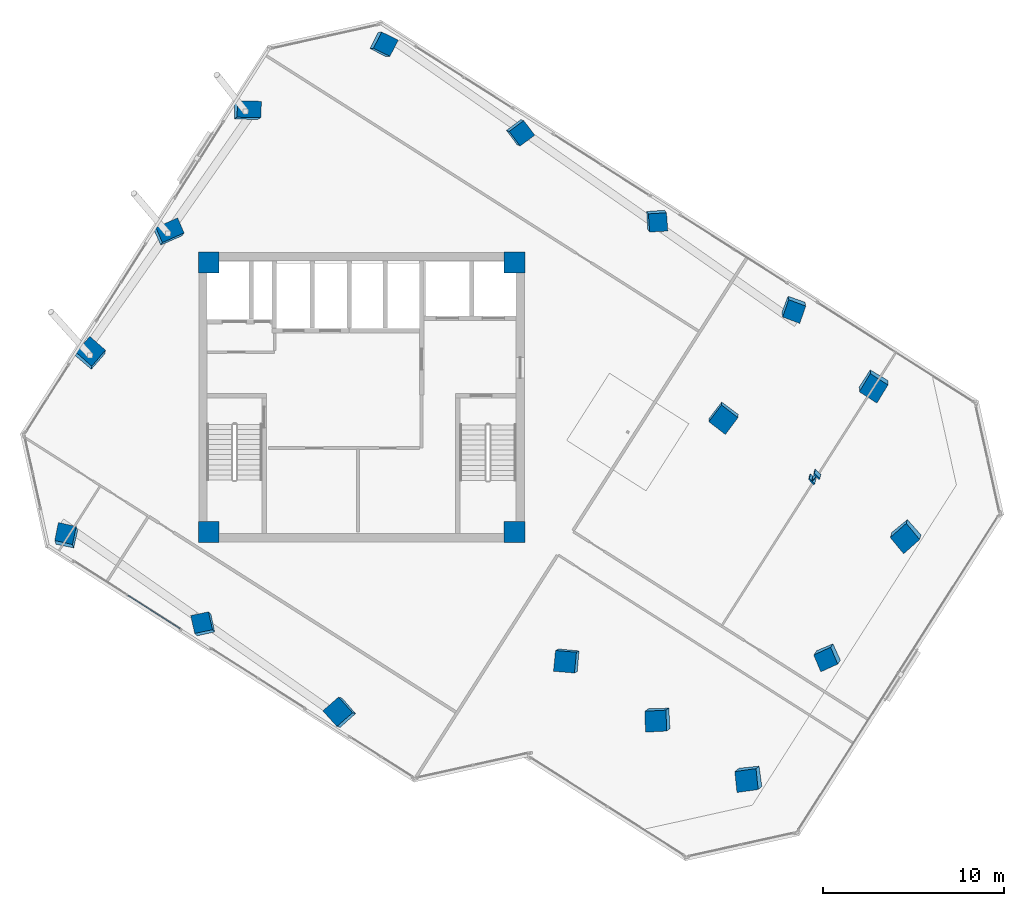
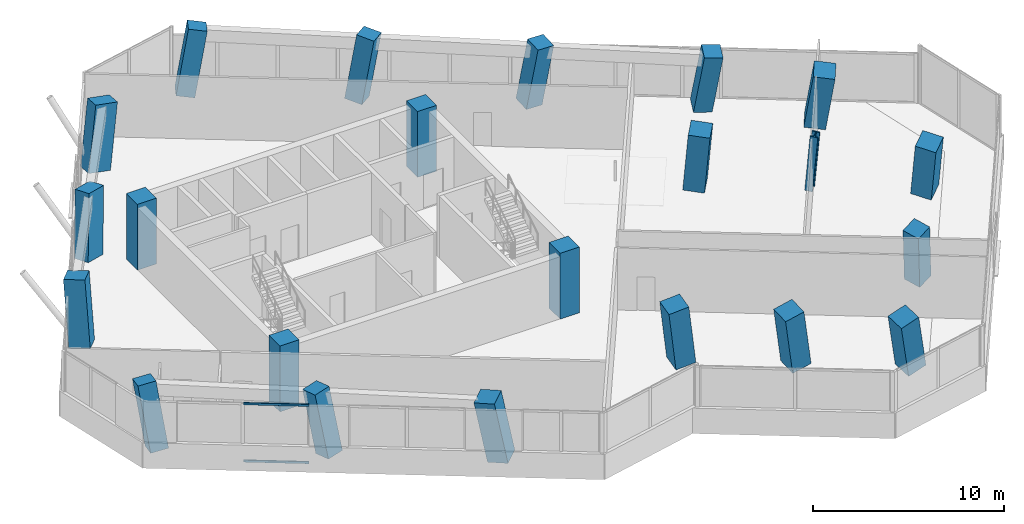
# One storey, part 1 of 24: 22 columns, 2 members, 1 element without a shape of its own.
"""IFC4 building model written with IfcOpenShell, lengths in metres."""

from ifc_helpers import new_model, si_unit, direction, frame, origin, origin_2d, place, context, subcontext, project, spatial, rectangle, hollow_rectangle, i_section, extrude, clip, halfspace, source, transform, mapped, material, material_profile, profile_set, type_object, element, aggregate, save


model = new_model("IFC4")

# Units and contexts
model_context = context("Model", 3, precision=1e-05, world=origin(), true_north=direction((0.0, 1.0)))
body_context = subcontext(model_context, "Body", "Model", "MODEL_VIEW")
ifc_project = project(units=[si_unit("LENGTHUNIT", "METRE"), si_unit("AREAUNIT", "SQUARE_METRE"), si_unit("VOLUMEUNIT", "CUBIC_METRE"), si_unit("PLANEANGLEUNIT", "RADIAN"), si_unit("MASSUNIT", "GRAM", prefix="KILO")], contexts=[model_context])

# Site, building, storey
site_placement = place(None, origin())
site = spatial("IfcSite", under=ifc_project, at=site_placement, CompositionType="ELEMENT")
building_placement = place(site_placement, origin())
building = spatial("IfcBuilding", under=site, at=building_placement, Name="Torre Montelarca", CompositionType="ELEMENT")
storey_placement = place(building_placement, frame((0.0, 0.0, 191.800048828125)))
storey = spatial("IfcBuildingStorey", under=building, at=storey_placement, Name="L43", CompositionType="ELEMENT", Elevation=191.800048828125)

# Columns
ifc_material_1 = material(Name="Concrete C55/67", Category="concrete")
ifc_material_profile_1 = material_profile(ifc_material_1, rectangle(XDim=0.89990234375, YDim=1.300048828125, at=origin_2d()), Name="RC1300X900", Category="concrete")
ifc_profile_set_1 = profile_set([ifc_material_profile_1], Name="Concrete C55/67")
column_type_1 = type_object("IfcColumnType", Name="COL-PIL1300-EXT", PredefinedType="PILASTER", material=ifc_profile_set_1)
column_1_placement = place(storey_placement, frame((7.288818359375, 41.053466796875, 0.0), z_axis=(0.095793792698, 0.143375766237, 0.98502128857), x_axis=(0.407247881102, -0.908606350461, 0.092648061179)))
element("IfcColumn", 1, at=column_1_placement, inside=storey, type_object=column_type_1, Name="L43 Column 1W/E", PredefinedType="PILASTER", context=body_context, shape_type="Clipping", body=[
    clip(clip(extrude(rectangle(XDim=0.89990234375, YDim=1.300048828125, at=origin_2d()), origin(), (0.0, 0.0, 1.0), 4.263916015625), halfspace(frame((0.0, 0.0, 0.138916015625), z_axis=(0.0, 0.0, -1.0), x_axis=(1.0, 0.0, 0.0)), False)), halfspace(frame((0.0, 0.0, 4.125), z_axis=(0.0, 0.0, 1.0), x_axis=(1.0, 0.0, 0.0)), False)),
])
column_2_placement = place(storey_placement, frame((11.58740234375, 47.800537109375, 0.0), z_axis=(0.163271900123, 0.097586490462, 0.981742921293), x_axis=(-0.020086457797, -0.994560936836, 0.102201160132)))
element("IfcColumn", 2, at=column_2_placement, inside=storey, type_object=column_type_1, Name="L43 Column 1W/F", PredefinedType="PILASTER", context=body_context, shape_type="Clipping", body=[
    clip(clip(extrude(rectangle(XDim=0.89990234375, YDim=1.300048828125, at=origin_2d()), origin(), (0.0, 0.0, 1.0), 4.278076171875), halfspace(frame((0.0, 0.0, 0.15380859375), z_axis=(0.0, 0.0, -1.0), x_axis=(1.0, 0.0, 0.0)), False)), halfspace(frame((0.0, 0.0, 4.124267578125), z_axis=(0.0, 0.0, 1.0), x_axis=(1.0, 0.0, 0.0)), False)),
])
ifc_material_profile_2 = material_profile(ifc_material_1, rectangle(XDim=1.0, YDim=1.0, at=origin_2d()), Name="RC1000X1000", Category="concrete")
ifc_profile_set_2 = profile_set([ifc_material_profile_2], Name="Concrete C55/67")
column_type_2 = type_object("IfcColumnType", Name="COL-RC1000-EXT", PredefinedType="COLUMN", material=ifc_profile_set_2)
column_3_placement = place(storey_placement, frame((1.716064453125, 24.2099609375, 0.0), z_axis=(-0.074641047873, 0.202353867427, 0.976463837687), x_axis=(0.972844329493, -0.200360876528, 0.115885416387)))
element("IfcColumn", 3, at=column_3_placement, inside=storey, type_object=column_type_2, Name="L43 Column 2/CS", PredefinedType="COLUMN", context=body_context, shape_type="Clipping", body=[
    clip(clip(extrude(rectangle(XDim=1.0, YDim=1.0, at=origin_2d()), origin(), (0.0, 0.0, 1.0), 4.30126953125), halfspace(frame((0.0, 0.0, 0.1533203125), z_axis=(0.0, 0.0, -1.0), x_axis=(1.0, 0.0, 0.0)), False)), halfspace(frame((0.0, 0.0, 4.14794921875), z_axis=(0.0, 0.0, 1.0), x_axis=(1.0, 0.0, 0.0)), False)),
])
column_4_placement = place(storey_placement, frame((19.09765625, 51.49365234375, 0.0), z_axis=(0.198890629471, 0.020105496049, 0.979815434935), x_axis=(-0.438960395993, -0.892063444469, 0.107408481004)))
element("IfcColumn", 4, at=column_4_placement, inside=storey, type_object=column_type_2, Name="L43 Column 2/GN", PredefinedType="COLUMN", context=body_context, shape_type="Clipping", body=[
    clip(clip(extrude(rectangle(XDim=1.0, YDim=1.0, at=origin_2d()), origin(), (0.0, 0.0, 1.0), 4.286376953125), halfspace(frame((0.0, 0.0, 0.1416015625), z_axis=(0.0, 0.0, -1.0), x_axis=(1.0, 0.0, 0.0)), False)), halfspace(frame((0.0, 0.0, 4.144775390625), z_axis=(0.0, 0.0, 1.0), x_axis=(1.0, 0.0, 0.0)), False)),
])
column_5_placement = place(storey_placement, frame((9.306640625, 19.374267578125, 0.0), z_axis=(-0.12626785012, 0.127411580647, 0.983779812327), x_axis=(0.971127246799, 0.218225991458, 0.096380948205)))
element("IfcColumn", 5, at=column_5_placement, inside=storey, type_object=column_type_2, Name="L43 Column 3/CS", PredefinedType="COLUMN", context=body_context, shape_type="Clipping", body=[
    clip(clip(extrude(rectangle(XDim=1.0, YDim=1.0, at=origin_2d()), origin(), (0.0, 0.0, 1.0), 4.269287109375), halfspace(frame((0.0, 0.0, 0.126708984375), z_axis=(0.0, 0.0, -1.0), x_axis=(1.0, 0.0, 0.0)), False)), halfspace(frame((0.0, 0.0, 4.142578125), z_axis=(0.0, 0.0, 1.0), x_axis=(1.0, 0.0, 0.0)), False)),
])
column_6_placement = place(storey_placement, frame((26.688232421875, 46.657958984375, 0.0), z_axis=(0.14914476181, -0.05646727419, 0.98720174583), x_axis=(-0.794687285195, -0.600940867907, 0.085686591885)))
element("IfcColumn", 6, at=column_6_placement, inside=storey, type_object=column_type_2, Name="L43 Column 3/GN", PredefinedType="COLUMN", context=body_context, shape_type="Clipping", body=[
    clip(clip(extrude(rectangle(XDim=1.0, YDim=1.0, at=origin_2d()), origin(), (0.0, 0.0, 1.0), 4.25439453125), halfspace(frame((0.0, 0.0, 0.1123046875), z_axis=(0.0, 0.0, -1.0), x_axis=(1.0, 0.0, 0.0)), False)), halfspace(frame((0.0, 0.0, 4.14208984375), z_axis=(0.0, 0.0, 1.0), x_axis=(1.0, 0.0, 0.0)), False)),
])
column_7_placement = place(storey_placement, frame((34.27880859375, 41.822265625, 0.0), z_axis=(0.09775031646, -0.133066559826, 0.986274893875), x_axis=(-0.993434538691, -0.072232782497, 0.088714387043)))
element("IfcColumn", 7, at=column_7_placement, inside=storey, type_object=column_type_2, Name="L43 Column 4/GN", PredefinedType="COLUMN", context=body_context, shape_type="Clipping", body=[
    clip(clip(extrude(rectangle(XDim=1.0, YDim=1.0, at=origin_2d()), origin(), (0.0, 0.0, 1.0), 4.25830078125), halfspace(frame((0.0, 0.0, 0.1162109375), z_axis=(0.0, 0.0, -1.0), x_axis=(1.0, 0.0, 0.0)), False)), halfspace(frame((0.0, 0.0, 4.14208984375), z_axis=(0.0, 0.0, 1.0), x_axis=(1.0, 0.0, 0.0)), False)),
])
column_8_placement = place(storey_placement, frame((41.869384765625, 36.986572265625, 0.0), z_axis=(0.046062506326, -0.2078208516, 0.977081746401), x_axis=(-0.937011849357, 0.330042189558, 0.114371968925)))
element("IfcColumn", 8, at=column_8_placement, inside=storey, type_object=column_type_2, Name="L43 Column 5/GN", PredefinedType="COLUMN", context=body_context, shape_type="Clipping", body=[
    clip(clip(extrude(rectangle(XDim=1.0, YDim=1.0, at=origin_2d()), origin(), (0.0, 0.0, 1.0), 4.298583984375), halfspace(frame((0.0, 0.0, 0.151123046875), z_axis=(0.0, 0.0, -1.0), x_axis=(1.0, 0.0, 0.0)), False)), halfspace(frame((0.0, 0.0, 4.1474609375), z_axis=(0.0, 0.0, 1.0), x_axis=(1.0, 0.0, 0.0)), False)),
])
column_9_placement = place(storey_placement, frame((43.849853515625, 17.76171875, 0.0), z_axis=(-0.147452651765, -0.22070260078, 0.964130736724), x_axis=(-0.413499326518, 0.899266078661, 0.142614258542)))
element("IfcColumn", 9, at=column_9_placement, inside=storey, type_object=column_type_2, Name="L43 Column 7/E", PredefinedType="COLUMN", context=body_context, shape_type="Clipping", body=[
    clip(clip(extrude(rectangle(XDim=1.0, YDim=1.0, at=origin_2d()), origin(), (0.0, 0.0, 1.0), 4.356201171875), halfspace(frame((0.0, 0.0, 0.19091796875), z_axis=(0.0, 0.0, -1.0), x_axis=(1.0, 0.0, 0.0)), False)), halfspace(frame((0.0, 0.0, 4.165283203125), z_axis=(0.0, 0.0, 1.0), x_axis=(1.0, 0.0, 0.0)), False)),
])
ifc_material_profile_3 = material_profile(ifc_material_1, rectangle(XDim=1.14990234375, YDim=1.14990234375, at=origin_2d()), Name="RC1150X1150", Category="concrete")
ifc_profile_set_3 = profile_set([ifc_material_profile_3], Name="Concrete C55/67")
column_type_3 = type_object("IfcColumnType", Name="COL-RC1150", PredefinedType="COLUMN", material=ifc_profile_set_3)
for number, where, z_axis, x_axis, name in (
    (10, (29.430908203125, 17.4619140625, 0.0), (-0.150609091116, -0.077911131198, 0.985518522053), (0.082803161903, 0.992392481711, 0.091108718698), "L43 Column 5/D"),
    (11, (38.027587890625, 30.956298828125, 0.0), (-0.014379225387, -0.168941576354, 0.985521172607), (-0.795446046248, 0.599137961664, 0.09110044128), "L43 Column 5/F"),
):
    element("IfcColumn", number, at=place(storey_placement, frame(where, z_axis=z_axis, x_axis=x_axis)), inside=storey, type_object=column_type_3, Name=name, PredefinedType="COLUMN", context=body_context, shape_type="Clipping", body=[
        clip(clip(extrude(rectangle(XDim=1.14990234375, YDim=1.14990234375, at=origin_2d()), origin(), (0.0, 0.0, 1.0), 4.26171875), halfspace(frame((0.0, 0.0, 0.13720703125), z_axis=(0.0, 0.0, -1.0), x_axis=(1.0, 0.0, 0.0)), False)), halfspace(frame((0.0, 0.0, 4.12451171875), z_axis=(0.0, 0.0, 1.0), x_axis=(1.0, 0.0, 0.0)), False)),
    ])
column_10_placement = place(storey_placement, frame((34.4912109375, 14.23828125, 0.0), z_axis=(-0.182696206841, -0.127615340511, 0.974851999471), x_axis=(-0.053558466448, 0.991359707094, 0.119738973699)))
element("IfcColumn", 12, at=column_10_placement, inside=storey, type_object=column_type_3, Name="L43 Column 6/D", PredefinedType="COLUMN", context=body_context, shape_type="Clipping", body=[
    clip(clip(extrude(rectangle(XDim=1.14990234375, YDim=1.14990234375, at=origin_2d()), origin(), (0.0, 0.0, 1.0), 4.308349609375), halfspace(frame((0.0, 0.0, 0.18212890625), z_axis=(0.0, 0.0, -1.0), x_axis=(1.0, 0.0, 0.0)), False)), halfspace(frame((0.0, 0.0, 4.126220703125), z_axis=(0.0, 0.0, 1.0), x_axis=(1.0, 0.0, 0.0)), False)),
])
column_11_placement = place(storey_placement, frame((46.311767578125, 32.792724609375, 0.0), z_axis=(0.002532957862, -0.24969335725, 0.968321646701), x_axis=(-0.848625633663, 0.511696919768, 0.134167045841)))
element("IfcColumn", 13, at=column_11_placement, inside=storey, type_object=column_type_3, Name="L43 Column 6/G", PredefinedType="COLUMN", context=body_context, shape_type="Clipping", body=[
    clip(clip(extrude(rectangle(XDim=1.14990234375, YDim=1.14990234375, at=origin_2d()), origin(), (0.0, 0.0, 1.0), 4.33740234375), halfspace(frame((0.0, 0.0, 0.20556640625), z_axis=(0.0, 0.0, -1.0), x_axis=(1.0, 0.0, 0.0)), False)), halfspace(frame((0.0, 0.0, 4.1318359375), z_axis=(0.0, 0.0, 1.0), x_axis=(1.0, 0.0, 0.0)), False)),
])
ifc_material_profile_4 = material_profile(ifc_material_1, rectangle(XDim=1.14990234375, YDim=1.14990234375, at=origin_2d()), Name="RC1150X1150", Category="concrete")
ifc_profile_set_4 = profile_set([ifc_material_profile_4], Name="Concrete C55/67")
column_type_4 = type_object("IfcColumnType", Name="COL-RC1150-EXT", PredefinedType="COLUMN", material=ifc_profile_set_4)
column_12_placement = place(storey_placement, frame((16.897216796875, 14.53857421875, 0.0), z_axis=(-0.177225978998, 0.050848201582, 0.982855743619), x_axis=(0.740203149213, 0.665045390151, 0.099065266036)))
element("IfcColumn", 14, at=column_12_placement, inside=storey, type_object=column_type_4, Name="L43 Column 4/CS", PredefinedType="COLUMN", context=body_context, shape_type="Clipping", body=[
    clip(clip(extrude(rectangle(XDim=1.14990234375, YDim=1.14990234375, at=origin_2d()), origin(), (0.0, 0.0, 1.0), 4.273193359375), halfspace(frame((0.0, 0.0, 0.149658203125), z_axis=(0.0, 0.0, -1.0), x_axis=(1.0, 0.0, 0.0)), False)), halfspace(frame((0.0, 0.0, 4.12353515625), z_axis=(0.0, 0.0, 1.0), x_axis=(1.0, 0.0, 0.0)), False)),
])
for number, where, z_axis, x_axis, name in (
    (15, (39.551513671875, 11.014404296875, 0.0), (-0.213406469834, -0.175585480285, 0.961055366639), (-0.137104351664, 0.979364247666, 0.148485915657), "L43 Column 7/D"),
    (16, (48.148193359375, 24.5087890625, 0.0), (-0.080558106469, -0.264355728023, 0.961054858238), (-0.656240945308, 0.739796912972, 0.148486865608), "L43 Column 7/F"),
):
    element("IfcColumn", number, at=place(storey_placement, frame(where, z_axis=z_axis, x_axis=x_axis)), inside=storey, type_object=column_type_4, Name=name, PredefinedType="COLUMN", context=body_context, shape_type="Clipping", body=[
        clip(clip(extrude(rectangle(XDim=1.14990234375, YDim=1.14990234375, at=origin_2d()), origin(), (0.0, 0.0, 1.0), 4.3701171875), halfspace(frame((0.0, 0.0, 0.22900390625), z_axis=(0.0, 0.0, -1.0), x_axis=(1.0, 0.0, 0.0)), False)), halfspace(frame((0.0, 0.0, 4.14111328125), z_axis=(0.0, 0.0, 1.0), x_axis=(1.0, 0.0, 0.0)), False)),
    ])
column_13_placement = place(storey_placement, frame((2.990478515625, 34.306396484375, 0.0), z_axis=(0.027620897851, 0.18821016759, 0.981740301107), x_axis=(0.75786188334, -0.644359219243, 0.102208426061)))
element("IfcColumn", 17, at=column_13_placement, inside=storey, type_object=column_type_4, Name="L43 Column 1W/D", PredefinedType="COLUMN", context=body_context, shape_type="Clipping", body=[
    clip(clip(extrude(rectangle(XDim=1.14990234375, YDim=1.14990234375, at=origin_2d()), origin(), (0.0, 0.0, 1.0), 4.278076171875), halfspace(frame((0.0, 0.0, 0.154541015625), z_axis=(0.0, 0.0, -1.0), x_axis=(1.0, 0.0, 0.0)), False)), halfspace(frame((0.0, 0.0, 4.12353515625), z_axis=(0.0, 0.0, 1.0), x_axis=(1.0, 0.0, 0.0)), False)),
])
ifc_material_2 = material(Name="Steel ASTM A992 Grade 50", Category="steel")
ifc_material_profile_5 = material_profile(ifc_material_2, i_section(OverallWidth=0.4208984375, OverallDepth=0.465087890625, WebThickness=0.044921875, FlangeThickness=0.072265625, FilletRadius=0.014892578125, at=origin_2d()), Name="W360X592", Category="steel")
ifc_profile_set_5 = profile_set([ifc_material_profile_5], Name="Steel ASTM A992 Grade 50")
column_type_5 = type_object("IfcColumnType", Name="COL-W360X592", PredefinedType="COLUMN", material=ifc_profile_set_5)
column_14_placement = place(storey_placement, frame((43.087890625, 27.732421875, 0.0), z_axis=(-0.047997627428, -0.217604355755, 0.974856180222), x_axis=(-0.710772532774, 0.693157513139, 0.119729146962)))
element("IfcColumn", 18, at=column_14_placement, inside=storey, type_object=column_type_5, Name="L43 Column 6/F", PredefinedType="COLUMN", context=body_context, shape_type="Clipping", body=[
    clip(clip(extrude(i_section(OverallWidth=0.4208984375, OverallDepth=0.465087890625, WebThickness=0.044921875, FlangeThickness=0.072265625, FilletRadius=0.014892578125, at=origin_2d()), origin(), (0.0, 0.0, 1.0), 4.308349609375), halfspace(frame((0.0, 0.0, 0.071533203125), z_axis=(0.0, 0.0, -1.0), x_axis=(1.0, 0.0, 0.0)), False)), halfspace(frame((0.0, 0.0, 4.23681640625), z_axis=(0.0, 0.0, 1.0), x_axis=(1.0, 0.0, 0.0)), False)),
])
shared_shape_1 = source(origin(), body_context, "Body", "SweptSolid", [
    extrude(rectangle(XDim=1.14990234375, YDim=1.14990234375, at=origin_2d()), origin(), (0.0, 0.0, 1.0), 4.198486328125),
])
for number, where, z_axis, x_axis, name in (
    (19, (9.550048828125, 24.550048828125, 0.000732421875), (0.0, 0.0, 1.0), (1.0, 0.0, 0.0), "L43 Plumb Core Corner Column 2D"),
    (20, (26.449951171875, 24.550048828125, 0.000732421875), (0.0, 0.0, 1.0), (1.0, 0.0, 0.0), "L43 Plumb Core Corner Column 4D"),
    (21, (9.550048828125, 39.449951171875, 0.000732421875), (0.0, 0.0, 1.0), (1.0, 0.0, 0.0), "L43 Plumb Core Corner Column 2F"),
    (22, (26.449951171875, 39.449951171875, 0.000732421875), (0.0, 0.0, 1.0), (1.0, 0.0, 0.0), "L43 Plumb Core Corner Column 4F"),
):
    element("IfcColumn", number, at=place(storey_placement, frame(where, z_axis=z_axis, x_axis=x_axis)), inside=storey, type_object=column_type_3, Name=name, PredefinedType="COLUMN", context=body_context, shape_type="MappedRepresentation", body=[
        mapped(shared_shape_1, transform((0.0, 0.0, 0.0), scale=1.0)),
    ])

# Curtain wall, members
ifc_material_3 = material(Name="Insulated low-E laminated glass", Category="glass")
curtain_wall_type = type_object("IfcCurtainWallType", Name="CW-SYS-Z2", PredefinedType="USERDEFINED", material=ifc_material_3)
curtain_wall_placement = place(storey_placement, origin())
curtain_wall = element("IfcCurtainWall", 23, at=curtain_wall_placement, inside=storey, type_object=curtain_wall_type, Name="L43 Curtain Wall Run CW-T3-L43-E01-B1", ObjectType="UNITISED GLAZING", PredefinedType="USERDEFINED")
ifc_material_4 = material(Name="Anodised aluminium AA 6063-T6", Category="aluminium")
ifc_material_profile_6 = material_profile(ifc_material_4, hollow_rectangle(XDim=0.06494140625, YDim=0.139892578125, WallThickness=0.00390625, InnerFilletRadius=0.00390625, OuterFilletRadius=0.008056640625, at=origin_2d()), Name="ALU65X140X4", Category="aluminium")
ifc_profile_set_6 = profile_set([ifc_material_profile_6], Name="Anodised aluminium AA 6063-T6")
member_type = type_object("IfcMemberType", Name="CWT-ALU140", PredefinedType="USERDEFINED", material=ifc_profile_set_6)
shared_shape_2 = source(origin(), body_context, "Body", "SweptSolid", [
    extrude(hollow_rectangle(XDim=0.06494140625, YDim=0.139892578125, WallThickness=0.00390625, InnerFilletRadius=0.00390625, OuterFilletRadius=0.008056640625, at=origin_2d()), origin(), (0.0, 0.0, 1.0), 3.42236328125),
])
member_1_placement = place(storey_placement, frame((5.0712890625, 21.040771484375, 0.032470703125), z_axis=(0.843394086607, -0.537295463108, 0.0), x_axis=(0.537295463108, 0.843394086607, 0.0)))
member_1 = element("IfcMember", 24, at=member_1_placement, type_object=member_type, Name="CW transom 2.1", ObjectType="TRANSOM", PredefinedType="USERDEFINED", context=body_context, shape_type="MappedRepresentation", body=[
    mapped(shared_shape_2, transform((0.0, 0.0, 0.0), scale=1.0)),
])
member_2_placement = place(storey_placement, frame((5.0712890625, 21.040771484375, 3.6875), z_axis=(0.843394086607, -0.537295463108, 0.0), x_axis=(0.537295463108, 0.843394086607, 0.0)))
member_2 = element("IfcMember", 25, at=member_2_placement, type_object=member_type, Name="CW transom 2.2", ObjectType="TRANSOM", PredefinedType="USERDEFINED", context=body_context, shape_type="MappedRepresentation", body=[
    mapped(shared_shape_2, transform((0.0, 0.0, 0.0), scale=1.0)),
])
aggregate(curtain_wall, [member_1, member_2])

save(model, "model.ifc")
